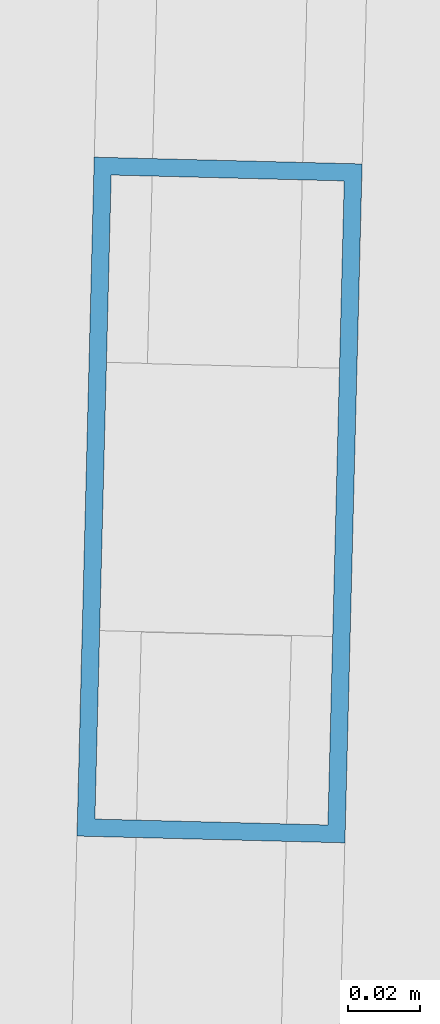
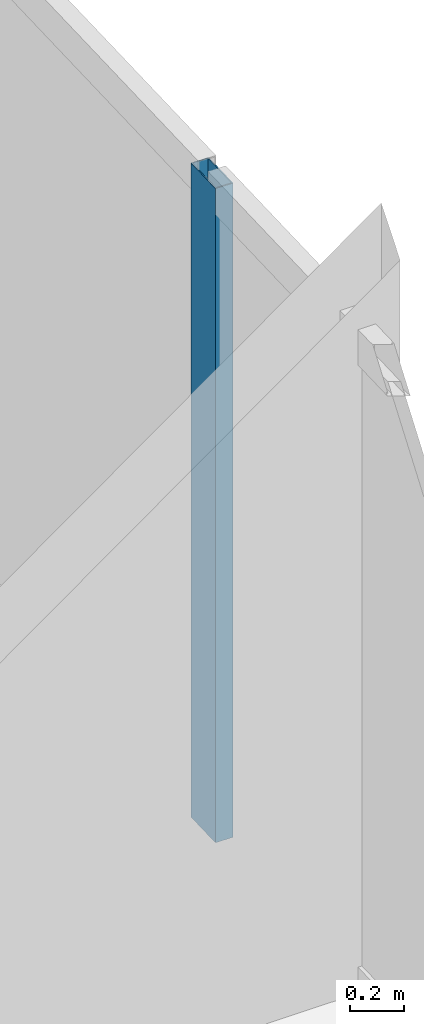
# One storey, part 12 of 25: 1 member, 1 element without a shape of its own.
"""IFC4 building model written with IfcOpenShell, lengths in metres."""

from ifc_helpers import new_model, si_unit, direction, frame, origin, origin_2d, place, context, subcontext, project, spatial, hollow_rectangle, extrude, material, material_profile, profile_set, type_object, element, aggregate, save


model = new_model("IFC4")

# Units and contexts
model_context = context("Model", 3, precision=1e-05, world=origin(), true_north=direction((0.0, 1.0)))
body_context = subcontext(model_context, "Body", "Model", "MODEL_VIEW")
ifc_project = project(units=[si_unit("LENGTHUNIT", "METRE"), si_unit("AREAUNIT", "SQUARE_METRE"), si_unit("VOLUMEUNIT", "CUBIC_METRE"), si_unit("PLANEANGLEUNIT", "RADIAN"), si_unit("MASSUNIT", "GRAM", prefix="KILO")], contexts=[model_context])

# Site, building, storey
site_placement = place(None, origin())
site = spatial("IfcSite", under=ifc_project, at=site_placement, CompositionType="ELEMENT")
building_placement = place(site_placement, origin())
building = spatial("IfcBuilding", under=site, at=building_placement, Name="Haldenkirk Collegiate Tower", CompositionType="ELEMENT")
storey_placement = place(building_placement, frame((0.0, 0.0, 325.199951171875)))
storey = spatial("IfcBuildingStorey", under=building, at=storey_placement, Name="L82", CompositionType="ELEMENT", Elevation=325.199951171875)

# Curtain wall, member
ifc_material = material(Name="Anodised architectural bronze aluminium", Category="aluminium")
curtain_wall_type = type_object("IfcCurtainWallType", Name="CW-SYS2-CONCAVE", PredefinedType="USERDEFINED", material=ifc_material)
curtain_wall_placement = place(storey_placement, origin())
curtain_wall = element("IfcCurtainWall", 1, at=curtain_wall_placement, inside=storey, type_object=curtain_wall_type, Name="L82 South concave recessed bronze-anodised curtain wall", ObjectType="UNITISED CURTAIN WALL", PredefinedType="USERDEFINED")
ifc_material_profile = material_profile(ifc_material, hollow_rectangle(XDim=0.074951171875, YDim=0.18994140625, WallThickness=0.0048828125, at=origin_2d()), Name="CW-MUL-02")
ifc_profile_set = profile_set([ifc_material_profile], Name="Anodised architectural bronze aluminium")
member_type = type_object("IfcMemberType", Name="CW-MUL-02", PredefinedType="MULLION", material=ifc_profile_set)
member_placement = place(storey_placement, frame((58.0869140625, 31.326171875, 0.0), z_axis=(0.0, 0.0, 1.0), x_axis=(0.99967982494, -0.025303114586, 0.0)))
member = element("IfcMember", 2, at=member_placement, type_object=member_type, Name="CW-02 mullion 2", PredefinedType="MULLION", context=body_context, shape_type="SweptSolid", body=[
    extrude(hollow_rectangle(XDim=0.074951171875, YDim=0.18994140625, WallThickness=0.0048828125, at=origin_2d()), origin(), (0.0, 0.0, 1.0), 2.947998046875),
])
aggregate(curtain_wall, [member])

save(model, "model.ifc")
